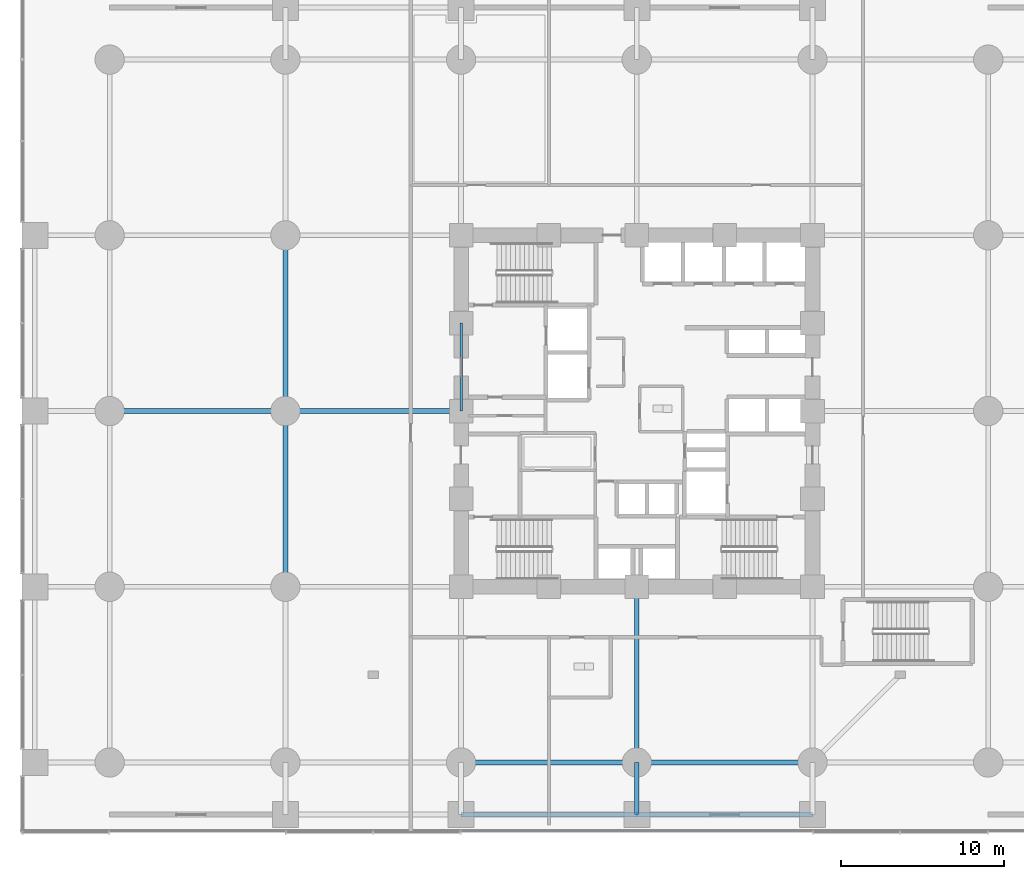
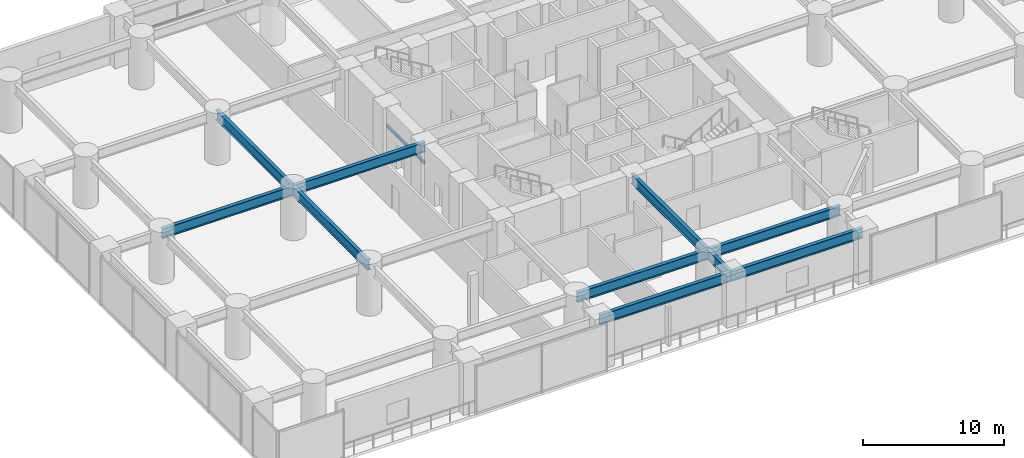
# One storey, part 8 of 36: 11 beams.
"""IFC4 building model written with IfcOpenShell, lengths in metres."""

from ifc_helpers import new_model, si_unit, direction, frame, origin, origin_2d, place, context, subcontext, project, spatial, i_section, extrude, material, material_profile, profile_set, type_object, element, save


model = new_model("IFC4")

# Units and contexts
model_context = context("Model", 3, precision=1e-05, world=origin(), true_north=direction((0.0, 1.0)))
body_context = subcontext(model_context, "Body", "Model", "MODEL_VIEW")
ifc_project = project(units=[si_unit("LENGTHUNIT", "METRE"), si_unit("AREAUNIT", "SQUARE_METRE"), si_unit("VOLUMEUNIT", "CUBIC_METRE"), si_unit("PLANEANGLEUNIT", "RADIAN"), si_unit("MASSUNIT", "GRAM", prefix="KILO")], contexts=[model_context])

# Site, building, storey
site_placement = place(None, origin())
site = spatial("IfcSite", under=ifc_project, at=site_placement, CompositionType="ELEMENT")
building_placement = place(site_placement, origin())
building = spatial("IfcBuilding", under=site, at=building_placement, Name="Surkhivell Harbour Commons", CompositionType="ELEMENT")
storey_placement = place(building_placement, frame((0.0, 0.0, 9.0)))
storey = spatial("IfcBuildingStorey", under=building, at=storey_placement, Name="L02", CompositionType="ELEMENT", Elevation=9.0)

# Beams
ifc_material_1 = material(Name="Steel S355", Category="steel")
ifc_material_profile_1 = material_profile(ifc_material_1, i_section(OverallWidth=0.14599609375, OverallDepth=0.256103515625, WebThickness=0.00634765625, FlangeThickness=0.010986328125, at=origin_2d()), Name="UB254x146x37")
ifc_profile_set_1 = profile_set([ifc_material_profile_1], Name="Steel S355")
beam_type_1 = type_object("IfcBeamType", Name="BM-LNT-254", PredefinedType="LINTEL", material=ifc_profile_set_1)
beam_1_placement = place(storey_placement, frame((-10.800048828125, 0.0, 2.35009765625), z_axis=(0.0, 1.0, 0.0), x_axis=(-1.0, 0.0, 0.0)))
element("IfcBeam", 1, at=beam_1_placement, inside=storey, type_object=beam_type_1, Name="L02 Core Lobby Opening Lintel LB-1", PredefinedType="LINTEL", context=body_context, shape_type="SweptSolid", body=[
    extrude(i_section(OverallWidth=0.14599609375, OverallDepth=0.256103515625, WebThickness=0.00634765625, FlangeThickness=0.010986328125, at=origin_2d()), origin(), (0.0, 0.0, 1.0), 5.39990234375),
])
ifc_material_2 = material(Name="Steel S460", Category="steel")
ifc_material_profile_2 = material_profile(ifc_material_2, i_section(OverallWidth=0.2939453125, OverallDepth=0.85107421875, WebThickness=0.01611328125, FlangeThickness=0.02685546875, at=origin_2d()), Name="UB838x292x226")
ifc_profile_set_2 = profile_set([ifc_material_profile_2], Name="Steel S460")
beam_type_2 = type_object("IfcBeamType", Name="BM-SPN-838", PredefinedType="SPANDREL", material=ifc_profile_set_2)
beam_2_placement = place(storey_placement, frame((-32.39990234375, 0.0, 3.824462890625), z_axis=(1.0, 0.0, 0.0), x_axis=(0.0, 1.0, 0.0)))
element("IfcBeam", 2, at=beam_2_placement, inside=storey, type_object=beam_type_2, Name="L02 Framing Beam (-32.4,0.0)", PredefinedType="SPANDREL", context=body_context, shape_type="SweptSolid", body=[
    extrude(i_section(OverallWidth=0.2939453125, OverallDepth=0.85107421875, WebThickness=0.01611328125, FlangeThickness=0.02685546875, at=origin_2d()), origin(), (0.0, 0.0, 1.0), 10.7998046875),
])
for number, where, z_axis, x_axis, name in (
    (3, (-21.60009765625, -10.800048828125, 3.824462890625), (0.0, 1.0, 0.0), (-1.0, 0.0, 0.0), "L02 Framing Beam (-21.6,-10.8)"),
    (4, (-21.60009765625, 0.0, 3.824462890625), (0.0, 1.0, 0.0), (-1.0, 0.0, 0.0), "L02 Framing Beam (-21.6,0.0)"),
    (5, (-21.60009765625, 0.0, 3.824462890625), (1.0, 0.0, 0.0), (0.0, 1.0, 0.0), "L02 Framing Beam (-21.6,0.0)"),
    (6, (-10.800048828125, -24.800048828125, 3.824462890625), (1.0, 0.0, 0.0), (0.0, 1.0, 0.0), "L02 Framing Beam (-10.8,-24.8)"),
    (7, (-10.800048828125, -21.60009765625, 3.824462890625), (1.0, 0.0, 0.0), (0.0, 1.0, 0.0), "L02 Framing Beam (-10.8,-21.6)"),
):
    element("IfcBeam", number, at=place(storey_placement, frame(where, z_axis=z_axis, x_axis=x_axis)), inside=storey, type_object=beam_type_2, Name=name, PredefinedType="SPANDREL", context=body_context, shape_type="SweptSolid", body=[
        extrude(i_section(OverallWidth=0.2939453125, OverallDepth=0.85107421875, WebThickness=0.01611328125, FlangeThickness=0.02685546875, at=origin_2d()), origin(), (0.0, 0.0, 1.0), 10.800048828125),
    ])
beam_3_placement = place(storey_placement, frame((0.0, -24.800048828125, 3.824462890625), z_axis=(0.0, 1.0, 0.0), x_axis=(-1.0, 0.0, 0.0)))
element("IfcBeam", 8, at=beam_3_placement, inside=storey, type_object=beam_type_2, Name="L02 Framing Beam (0.0,-24.8)", PredefinedType="SPANDREL", context=body_context, shape_type="SweptSolid", body=[
    extrude(i_section(OverallWidth=0.2939453125, OverallDepth=0.85107421875, WebThickness=0.01611328125, FlangeThickness=0.02685546875, at=origin_2d()), origin(), (0.0, 0.0, 1.0), 3.199951171875),
])
for number, where, z_axis, x_axis, name in (
    (9, (0.0, -24.800048828125, 3.824462890625), (1.0, 0.0, 0.0), (0.0, 1.0, 0.0), "L02 Framing Beam (0.0,-24.8)"),
    (10, (0.0, -21.60009765625, 3.824462890625), (0.0, 1.0, 0.0), (-1.0, 0.0, 0.0), "L02 Framing Beam (0.0,-21.6)"),
    (11, (0.0, -21.60009765625, 3.824462890625), (1.0, 0.0, 0.0), (0.0, 1.0, 0.0), "L02 Framing Beam (0.0,-21.6)"),
):
    element("IfcBeam", number, at=place(storey_placement, frame(where, z_axis=z_axis, x_axis=x_axis)), inside=storey, type_object=beam_type_2, Name=name, PredefinedType="SPANDREL", context=body_context, shape_type="SweptSolid", body=[
        extrude(i_section(OverallWidth=0.2939453125, OverallDepth=0.85107421875, WebThickness=0.01611328125, FlangeThickness=0.02685546875, at=origin_2d()), origin(), (0.0, 0.0, 1.0), 10.800048828125),
    ])

save(model, "model.ifc")
